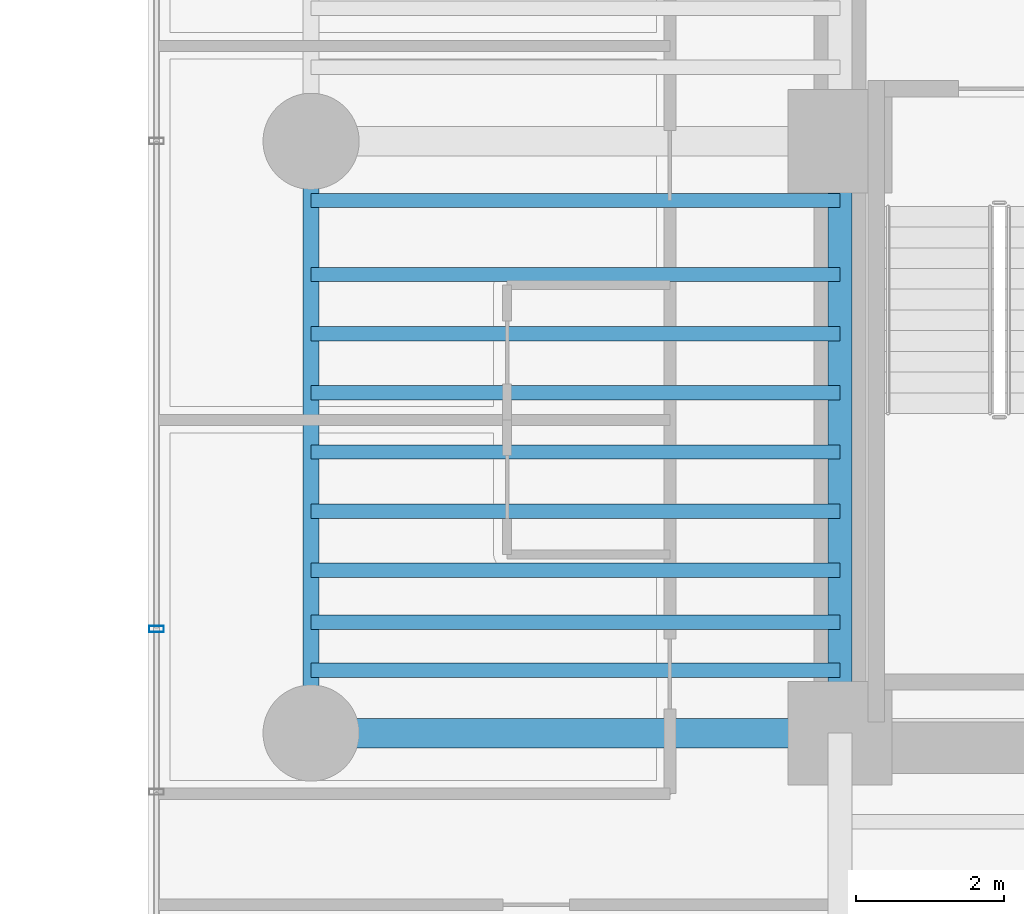
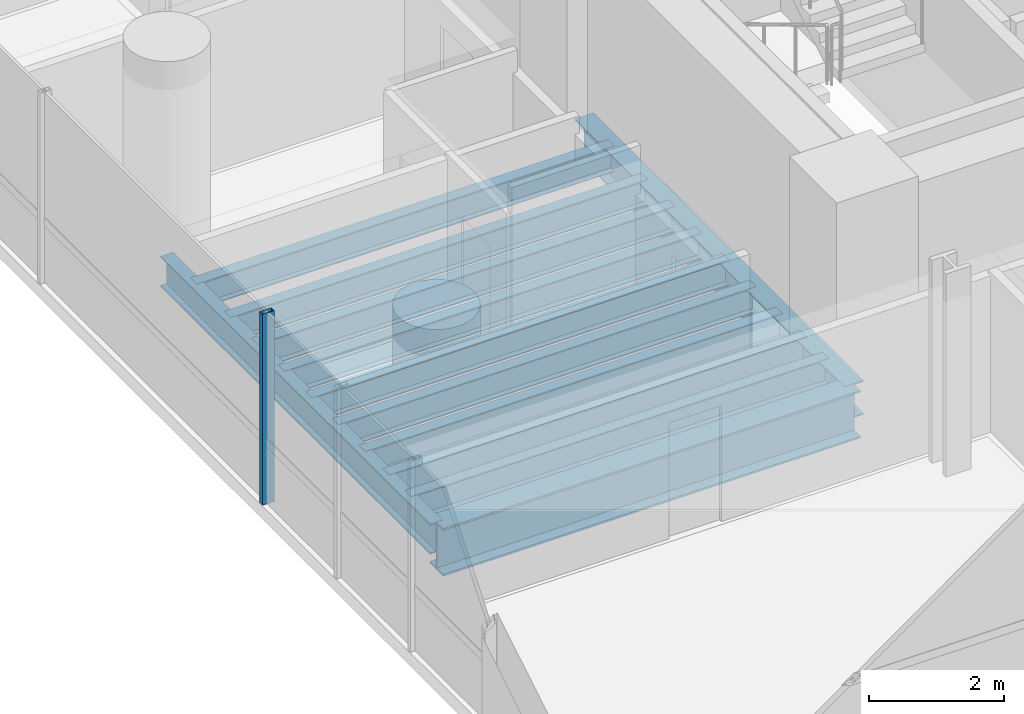
# One storey, part 4 of 40: 12 beams, 1 member, 1 element without a shape of its own.
"""IFC4 building model written with IfcOpenShell, lengths in metres."""

from ifc_helpers import new_model, si_unit, direction, frame, origin, origin_2d, place, context, subcontext, project, spatial, hollow_rectangle, i_section, extrude, source, transform, mapped, material, material_profile, profile_set, type_object, element, aggregate, save


model = new_model("IFC4")

# Units and contexts
model_context = context("Model", 3, precision=1e-05, world=origin(), true_north=direction((0.0, 1.0)))
body_context = subcontext(model_context, "Body", "Model", "MODEL_VIEW")
ifc_project = project(units=[si_unit("LENGTHUNIT", "METRE"), si_unit("AREAUNIT", "SQUARE_METRE"), si_unit("VOLUMEUNIT", "CUBIC_METRE"), si_unit("PLANEANGLEUNIT", "RADIAN"), si_unit("MASSUNIT", "GRAM", prefix="KILO")], contexts=[model_context])

# Site, building, storey
site_placement = place(None, origin())
site = spatial("IfcSite", under=ifc_project, at=site_placement, CompositionType="ELEMENT")
building_placement = place(site_placement, origin())
building = spatial("IfcBuilding", under=site, at=building_placement, Name="Valdorenza Pilgrim Sanctuary Tower", CompositionType="ELEMENT")
storey_placement = place(building_placement, frame((0.0, 0.0, 81.5)))
storey = spatial("IfcBuildingStorey", under=building, at=storey_placement, Name="L20", CompositionType="ELEMENT", Elevation=81.5)

# Beams
ifc_material_1 = material(Name="Steel ASTM A992 Grade 50", Category="steel")
ifc_material_profile_1 = material_profile(ifc_material_1, i_section(OverallWidth=0.214111328125, OverallDepth=0.549072265625, WebThickness=0.0146484375, FlangeThickness=0.023681640625, at=origin_2d()), Name="W21X93")
ifc_profile_set_1 = profile_set([ifc_material_profile_1], Name="Steel ASTM A992 Grade 50")
beam_type_1 = type_object("IfcBeamType", Name="STR-BM-SPN-W21A", PredefinedType="SPANDREL", material=ifc_profile_set_1)
shared_shape_1 = source(origin(), body_context, "Body", "SweptSolid", [
    extrude(i_section(OverallWidth=0.214111328125, OverallDepth=0.549072265625, WebThickness=0.0146484375, FlangeThickness=0.023681640625, at=origin_2d()), origin(), (0.0, 0.0, 1.0), 8.0),
])
beam_1_placement = place(storey_placement, frame((-29.800048828125, -10.60009765625, -0.514404296875), z_axis=(0.0, 1.0, 0.0), x_axis=(-1.0, 0.0, 0.0)))
element("IfcBeam", 1, at=beam_1_placement, inside=storey, type_object=beam_type_1, Name="L20 Spandrel Beam WA-W-S1M0", PredefinedType="SPANDREL", context=body_context, shape_type="MappedRepresentation", body=[
    mapped(shared_shape_1, transform((0.0, 0.0, 0.0), x_axis=(1.0, 0.0, 0.0), y_axis=(0.0, 1.0, 0.0), z_axis=(0.0, 0.0, 1.0), scale=1.0)),
])
ifc_material_profile_2 = material_profile(ifc_material_1, i_section(OverallWidth=0.323974609375, OverallDepth=0.611083984375, WebThickness=0.0126953125, FlangeThickness=0.01904296875, at=origin_2d()), Name="W24X104")
ifc_profile_set_2 = profile_set([ifc_material_profile_2], Name="Steel ASTM A992 Grade 50")
beam_type_2 = type_object("IfcBeamType", Name="STR-BM-GRD-W24B", PredefinedType="BEAM", material=ifc_profile_set_2)
shared_shape_2 = source(origin(), body_context, "Body", "SweptSolid", [
    extrude(i_section(OverallWidth=0.323974609375, OverallDepth=0.611083984375, WebThickness=0.0126953125, FlangeThickness=0.01904296875, at=origin_2d()), origin(), (0.0, 0.0, 1.0), 8.0),
])
beam_2_placement = place(storey_placement, frame((-22.64990234375, -10.60009765625, -0.54541015625), z_axis=(0.0, 1.0, 0.0), x_axis=(-1.0, 0.0, 0.0)))
element("IfcBeam", 2, at=beam_2_placement, inside=storey, type_object=beam_type_2, Name="L20 Core Tie Girder CA-W-S1M0", PredefinedType="BEAM", context=body_context, shape_type="MappedRepresentation", body=[
    mapped(shared_shape_2, transform((0.0, 0.0, 0.0), x_axis=(1.0, 0.0, 0.0), y_axis=(0.0, 1.0, 0.0), z_axis=(0.0, 0.0, 1.0), scale=1.0)),
])
ifc_material_profile_3 = material_profile(ifc_material_1, i_section(OverallWidth=0.193115234375, OverallDepth=0.466064453125, WebThickness=0.011474609375, FlangeThickness=0.01904296875, at=origin_2d()), Name="W18X65")
ifc_profile_set_3 = profile_set([ifc_material_profile_3], Name="Steel ASTM A992 Grade 50")
beam_type_3 = type_object("IfcBeamType", Name="STR-BM-JST-W18A", PredefinedType="JOIST", material=ifc_profile_set_3)
shared_shape_3 = source(origin(), body_context, "Body", "SweptSolid", [
    extrude(i_section(OverallWidth=0.193115234375, OverallDepth=0.466064453125, WebThickness=0.011474609375, FlangeThickness=0.01904296875, at=origin_2d()), origin(), (0.0, 0.0, 1.0), 7.150146484375),
])
for number, where, z_axis, x_axis, name in (
    (3, (-29.800048828125, -9.75, -0.472900390625), (1.0, 0.0, 0.0), (0.0, 1.0, 0.0), "L20 Composite Floor Joist JST-WA-1"),
    (4, (-29.800048828125, -9.10009765625, -0.472900390625), (1.0, 0.0, 0.0), (0.0, 1.0, 0.0), "L20 Composite Floor Joist JST-WA-2"),
    (5, (-29.800048828125, -8.39990234375, -0.472900390625), (1.0, 0.0, 0.0), (0.0, 1.0, 0.0), "L20 Composite Floor Joist JST-WA-3"),
    (6, (-29.800048828125, -7.60009765625, -0.472900390625), (1.0, 0.0, 0.0), (0.0, 1.0, 0.0), "L20 Composite Floor Joist JST-WA-4"),
    (7, (-29.800048828125, -6.800048828125, -0.472900390625), (1.0, 0.0, 0.0), (0.0, 1.0, 0.0), "L20 Composite Floor Joist JST-WA-5"),
    (8, (-29.800048828125, -6.0, -0.472900390625), (1.0, 0.0, 0.0), (0.0, 1.0, 0.0), "L20 Composite Floor Joist JST-WA-6"),
    (9, (-29.800048828125, -5.199951171875, -0.472900390625), (1.0, 0.0, 0.0), (0.0, 1.0, 0.0), "L20 Composite Floor Joist JST-WA-7"),
    (10, (-29.800048828125, -4.39990234375, -0.472900390625), (1.0, 0.0, 0.0), (0.0, 1.0, 0.0), "L20 Composite Floor Joist JST-WA-8"),
    (11, (-29.800048828125, -3.39990234375, -0.472900390625), (1.0, 0.0, 0.0), (0.0, 1.0, 0.0), "L20 Composite Floor Joist JST-WA-9"),
):
    element("IfcBeam", number, at=place(storey_placement, frame(where, z_axis=z_axis, x_axis=x_axis)), inside=storey, type_object=beam_type_3, Name=name, PredefinedType="JOIST", context=body_context, shape_type="MappedRepresentation", body=[
        mapped(shared_shape_3, transform((0.0, 0.0, 0.0), x_axis=(1.0, 0.0, 0.0), y_axis=(0.0, 1.0, 0.0), z_axis=(0.0, 0.0, 1.0), scale=1.0)),
    ])
ifc_material_profile_4 = material_profile(ifc_material_1, i_section(OverallWidth=0.39990234375, OverallDepth=0.862060546875, WebThickness=0.019775390625, FlangeThickness=0.032470703125, at=origin_2d()), Name="W33X221")
ifc_profile_set_4 = profile_set([ifc_material_profile_4], Name="Steel ASTM A992 Grade 50")
beam_type_4 = type_object("IfcBeamType", Name="STR-BM-GRD-W33", PredefinedType="BEAM", material=ifc_profile_set_4)
shared_shape_4 = source(origin(), body_context, "Body", "SweptSolid", [
    extrude(i_section(OverallWidth=0.39990234375, OverallDepth=0.862060546875, WebThickness=0.019775390625, FlangeThickness=0.032470703125, at=origin_2d()), origin(), (0.0, 0.0, 1.0), 7.150146484375),
])
beam_3_placement = place(storey_placement, frame((-29.800048828125, -10.60009765625, -0.6708984375), z_axis=(1.0, 0.0, 0.0), x_axis=(0.0, 1.0, 0.0)))
element("IfcBeam", 12, at=beam_3_placement, inside=storey, type_object=beam_type_4, Name="L20 Floor Girder WA-XW-S1", PredefinedType="BEAM", context=body_context, shape_type="MappedRepresentation", body=[
    mapped(shared_shape_4, transform((0.0, 0.0, 0.0), x_axis=(1.0, 0.0, 0.0), y_axis=(0.0, 1.0, 0.0), z_axis=(0.0, 0.0, 1.0), scale=1.0)),
])

# Curtain wall, member
ifc_material_2 = material(Name="Curtain-wall IGU glazing", Category="glass")
curtain_wall_type = type_object("IfcCurtainWallType", Name="CW-SYS-02", PredefinedType="NOTDEFINED", material=ifc_material_2)
curtain_wall_placement = place(storey_placement, origin())
curtain_wall = element("IfcCurtainWall", 13, at=curtain_wall_placement, inside=storey, type_object=curtain_wall_type, Name="L20 Curtain Wall CW-L20-1-1S1", PredefinedType="NOTDEFINED")
ifc_material_3 = material(Name="Anodised aluminium AW-6060", Category="aluminium")
ifc_material_profile_5 = material_profile(ifc_material_3, hollow_rectangle(XDim=0.0849609375, YDim=0.199951171875, WallThickness=0.0048828125, at=origin_2d()), Name="ALU-M 200x85x5")
ifc_profile_set_5 = profile_set([ifc_material_profile_5], Name="Anodised aluminium AW-6060")
member_type = type_object("IfcMemberType", Name="CW-MUL-02", PredefinedType="MULLION", material=ifc_profile_set_5)
shared_shape_5 = source(origin(), body_context, "Body", "SweptSolid", [
    extrude(hollow_rectangle(XDim=0.0849609375, YDim=0.199951171875, WallThickness=0.0048828125, at=origin_2d()), origin(), (0.0, 0.0, 1.0), 3.4599609375),
])
member_placement = place(storey_placement, frame((-31.889892578125, -9.19189453125, 0.0), z_axis=(0.0, 0.0, 1.0), x_axis=(0.0, 1.0, 0.0)))
member = element("IfcMember", 14, at=member_placement, type_object=member_type, Name="CW-L20-1-1S1 Mullion 2", PredefinedType="MULLION", context=body_context, shape_type="MappedRepresentation", body=[
    mapped(shared_shape_5, transform((0.0, 0.0, 0.0), x_axis=(1.0, 0.0, 0.0), y_axis=(0.0, 1.0, 0.0), z_axis=(0.0, 0.0, 1.0), scale=1.0)),
])
aggregate(curtain_wall, [member])

save(model, "model.ifc")
